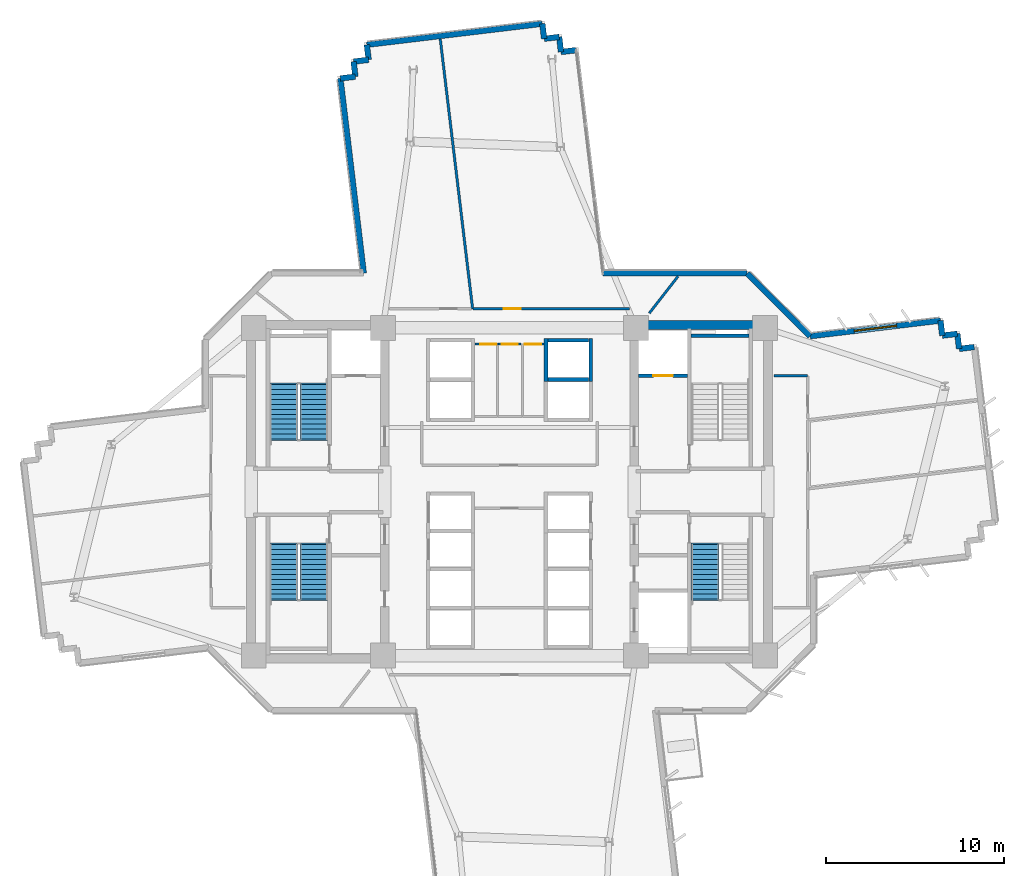
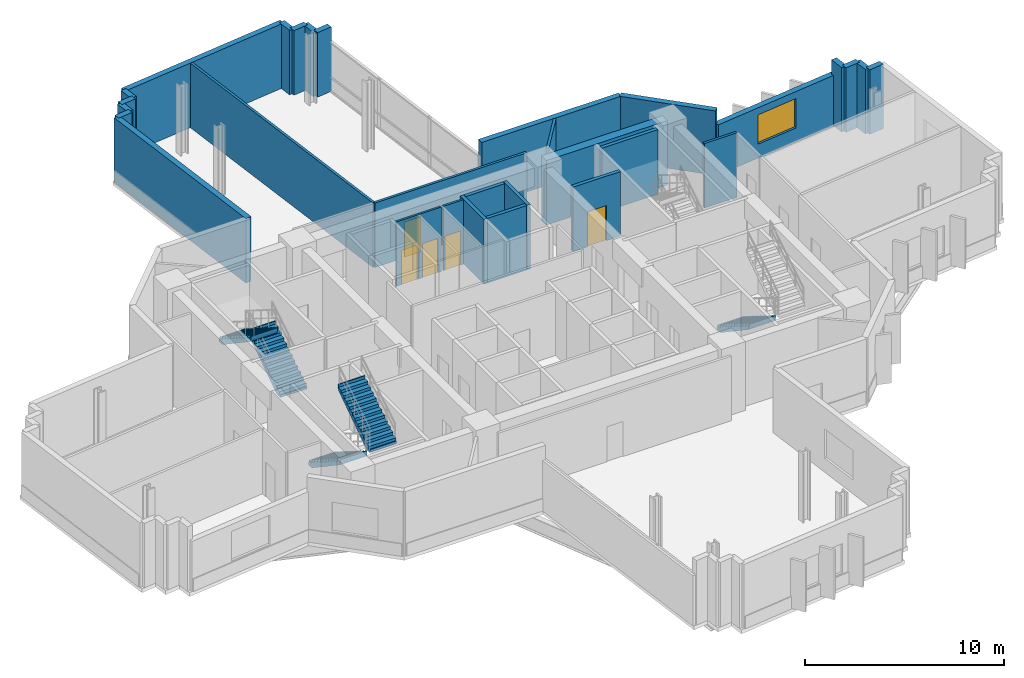
# One storey, part 9 of 15: 31 walls, 5 doors, 5 stair flights, 1 window, 6 openings, 3 elements without a shape of their own.
"""IFC4 building model written with IfcOpenShell, lengths in metres."""

from ifc_helpers import new_model, si_unit, direction, frame, frame_2d, origin, place, context, subcontext, project, spatial, polyline, rectangle, outline, extrude, source, transform, mapped, material, layer, layer_set, type_object, element, fill, aggregate, save


model = new_model("IFC4")

# Units and contexts
model_context = context("Model", 3, precision=1e-05, world=origin(), true_north=direction((0.0, 1.0)))
body_context = subcontext(model_context, "Body", "Model", "MODEL_VIEW")
ifc_project = project(units=[si_unit("LENGTHUNIT", "METRE"), si_unit("AREAUNIT", "SQUARE_METRE"), si_unit("VOLUMEUNIT", "CUBIC_METRE"), si_unit("PLANEANGLEUNIT", "RADIAN"), si_unit("MASSUNIT", "GRAM", prefix="KILO")], contexts=[model_context])

# Site, building, storey
site_placement = place(None, origin())
site = spatial("IfcSite", under=ifc_project, at=site_placement, CompositionType="ELEMENT")
building_placement = place(site_placement, origin())
building = spatial("IfcBuilding", under=site, at=building_placement, Name="Zahravan Cultural Tower", CompositionType="ELEMENT")
storey_placement = place(building_placement, frame((0.0, 0.0, 113.10009765625)))
storey = spatial("IfcBuildingStorey", under=building, at=storey_placement, Name="L25", CompositionType="ELEMENT", Elevation=113.10009765625)

# Wall, opening, window
ifc_material_1 = material(Name="Precast concrete C40/50", Category="concrete")
ifc_layer_1 = layer(ifc_material_1, 0.320068359375)
ifc_layer_set_1 = layer_set([ifc_layer_1], Name="Precast concrete C40/50")
wall_type_1 = type_object("IfcWallType", Name="EW-TC-320", PredefinedType="SOLIDWALL", material=ifc_layer_set_1)
wall_1_placement = place(storey_placement, frame((52.87060546875, 35.7314453125, 0.0), z_axis=(0.0, 0.0, 1.0), x_axis=(0.992882794037, 0.119095580547, 0.0)))
wall_1 = element("IfcWall", 1, at=wall_1_placement, inside=storey, type_object=wall_type_1, Name="L25 Exterior Masonry Frame Wall 01", PredefinedType="SOLIDWALL", context=body_context, shape_type="SweptSolid", body=[
    extrude(rectangle(XDim=7.36962890625, YDim=0.320068359375, at=frame_2d((3.684814453125, 0.0))), origin(), (0.0, 0.0, 1.0), 3.079833984375),
])
opening_1_placement = place(wall_1_placement, frame((2.485107421875, 0.0, 0.85009765625)))
opening_1 = element("IfcOpeningElement", 2, at=opening_1_placement, cuts=wall_1, Name="Opening WN-01", PredefinedType="OPENING", context=body_context, shape_type="SweptSolid", body=[
    extrude(rectangle(XDim=2.39990234375, YDim=1.800048828125, at=frame_2d((1.199951171875, 0.89990234375))), frame((0.0, 0.169921875, 0.0), z_axis=(0.0, -1.0, 0.0), x_axis=(1.0, 0.0, 0.0)), (0.0, 0.0, 1.0), 0.340087890625),
])
ifc_material_2 = material(Name="Low-E solar-control double glazing", Category="glass")
window_type = type_object("IfcWindowType", Name="WN-REC-2400X1800", PartitioningType="DOUBLE_PANEL_VERTICAL", PredefinedType="WINDOW", material=ifc_material_2)
shared_shape_1 = source(origin(), body_context, "Body", "SweptSolid", [
    extrude(rectangle(XDim=2.39990234375, YDim=1.800048828125, at=frame_2d((1.199951171875, 0.89990234375))), frame((0.0, 0.030029296875, 0.0), z_axis=(0.0, -1.0, 0.0), x_axis=(1.0, 0.0, 0.0)), (0.0, 0.0, 1.0), 0.06005859375),
])
window_placement = place(opening_1_placement, origin())
window = element("IfcWindow", 3, at=window_placement, inside=storey, type_object=window_type, Name="L25 Recessed Solar Window 01", OverallHeight=1.800048828125, OverallWidth=2.39990234375, PartitioningType="DOUBLE_PANEL_VERTICAL", PredefinedType="WINDOW", context=body_context, shape_type="MappedRepresentation", body=[
    mapped(shared_shape_1, transform((0.0, 0.0, 0.0), x_axis=(1.0, 0.0, 0.0), y_axis=(0.0, 1.0, 0.0), z_axis=(0.0, 0.0, 1.0), scale=1.0)),
])
fill(opening_1, window)

# Wall, opening, door
ifc_material_3 = material(Name="Gypsum plasterboard partition")
ifc_layer_2 = layer(ifc_material_3, 0.139892578125)
ifc_layer_set_2 = layer_set([ifc_layer_2], Name="Gypsum plasterboard partition")
wall_type_2 = type_object("IfcWallType", Name="W-PART-140", PredefinedType="PARTITIONING", material=ifc_layer_set_2)
wall_2_placement = place(storey_placement, frame((42.742431640625, 37.259765625, 0.0), z_axis=(0.0, 0.0, 1.0), x_axis=(-0.999999999614, 2.7778549e-05, 0.0)))
wall_2 = element("IfcWall", 4, at=wall_2_placement, inside=storey, type_object=wall_type_2, Name="L25 Interior Wall 099", PredefinedType="PARTITIONING", context=body_context, shape_type="SweptSolid", body=[
    extrude(rectangle(XDim=8.788818359375, YDim=0.139892578125, at=frame_2d((4.39453125, 0.0))), origin(), (0.0, 0.0, 1.0), 3.949951171875),
])
opening_2_placement = place(wall_2_placement, frame((6.1142578125, 0.0, 0.0)))
opening_2 = element("IfcOpeningElement", 5, at=opening_2_placement, cuts=wall_2, Name="Opening D-L25-19", PredefinedType="OPENING", context=body_context, shape_type="SweptSolid", body=[
    extrude(rectangle(XDim=0.949951171875, YDim=2.14990234375, at=frame_2d((0.47509765625, 1.074951171875))), frame((0.0, 0.079833984375, 0.0), z_axis=(0.0, -1.0, 0.0), x_axis=(1.0, 0.0, 0.0)), (0.0, 0.0, 1.0), 0.159912109375),
])
ifc_material_4 = material(Name="Anodised bronze-aluminium mullion", Category="aluminium")
door_type_1 = type_object("IfcDoorType", Name="DR-ROOM-950", OperationType="NOTDEFINED", PredefinedType="DOOR", material=ifc_material_4)
shared_shape_2 = source(origin(), body_context, "Body", "SweptSolid", [
    extrude(rectangle(XDim=0.949951171875, YDim=2.14990234375, at=frame_2d((0.47509765625, 1.074951171875))), frame((0.0, 0.02490234375, 0.0), z_axis=(0.0, -1.0, 0.0), x_axis=(1.0, 0.0, 0.0)), (0.0, 0.0, 1.0), 0.050048828125),
])
door_1_placement = place(opening_2_placement, origin())
door_1 = element("IfcDoor", 6, at=door_1_placement, inside=storey, type_object=door_type_1, Name="L25 Door D-L25-19", OperationType="SINGLE_SWING_RIGHT", OverallHeight=2.14990234375, OverallWidth=0.949951171875, PredefinedType="DOOR", context=body_context, shape_type="MappedRepresentation", body=[
    mapped(shared_shape_2, transform((0.0, 0.0, 0.0), x_axis=(1.0, 0.0, 0.0), y_axis=(0.0, 1.0, 0.0), z_axis=(0.0, 0.0, 1.0), scale=1.0)),
])
fill(opening_2, door_1)

ifc_material_5 = material(Name="Concrete C45/55", Category="concrete")
ifc_layer_3 = layer(ifc_material_5, 0.199951171875)
ifc_layer_set_3 = layer_set([ifc_layer_3], Name="Concrete C45/55")
wall_type_3 = type_object("IfcWallType", Name="W-SHAFT-200", PredefinedType="SOLIDWALL", material=ifc_layer_set_3)
wall_3_placement = place(storey_placement, frame((43.25, 33.52001953125, 0.0), z_axis=(0.0, 0.0, 1.0), x_axis=(1.0, 0.0, 0.0)))
wall_3 = element("IfcWall", 7, at=wall_3_placement, inside=storey, type_object=wall_type_3, Name="L25 Interior Wall 022", PredefinedType="SOLIDWALL", context=body_context, shape_type="SweptSolid", body=[
    extrude(rectangle(XDim=2.75, YDim=0.199951171875, at=frame_2d((1.375, 0.0))), origin(), (0.0, 0.0, 1.0), 3.949951171875),
])
opening_3_placement = place(wall_3_placement, frame((0.820068359375, 0.0, 0.0)))
opening_3 = element("IfcOpeningElement", 8, at=opening_3_placement, cuts=wall_3, Name="Opening LD-L25-02", PredefinedType="OPENING", context=body_context, shape_type="SweptSolid", body=[
    extrude(rectangle(XDim=1.10009765625, YDim=2.14990234375, at=frame_2d((0.550048828125, 1.074951171875))), frame((0.0, 0.10986328125, 0.0), z_axis=(0.0, -1.0, 0.0), x_axis=(1.0, 0.0, 0.0)), (0.0, 0.0, 1.0), 0.219970703125),
])
ifc_material_6 = material(Name="Steel ASTM A572 Grade 50", Category="steel")
door_type_2 = type_object("IfcDoorType", Name="DR-LIFT-1100", OperationType="DOUBLE_DOOR_SLIDING", PredefinedType="DOOR", material=ifc_material_6)
shared_shape_3 = source(origin(), body_context, "Body", "SweptSolid", [
    extrude(rectangle(XDim=1.10009765625, YDim=2.14990234375, at=frame_2d((0.550048828125, 1.074951171875))), frame((0.0, 0.02490234375, 0.0), z_axis=(0.0, -1.0, 0.0), x_axis=(1.0, 0.0, 0.0)), (0.0, 0.0, 1.0), 0.050048828125),
])
door_2_placement = place(opening_3_placement, origin())
door_2 = element("IfcDoor", 9, at=door_2_placement, inside=storey, type_object=door_type_2, Name="L25 Door LD-L25-02", OperationType="DOUBLE_DOOR_SLIDING", OverallHeight=2.14990234375, OverallWidth=1.10009765625, PredefinedType="DOOR", context=body_context, shape_type="MappedRepresentation", body=[
    mapped(shared_shape_3, transform((0.0, 0.0, 0.0), x_axis=(1.0, 0.0, 0.0), y_axis=(0.0, 1.0, 0.0), z_axis=(0.0, 0.0, 1.0), scale=1.0)),
])
fill(opening_3, door_2)

ifc_layer_4 = layer(ifc_material_3, 0.114990234375)
ifc_layer_set_4 = layer_set([ifc_layer_4], Name="Gypsum plasterboard partition")
wall_type_4 = type_object("IfcWallType", Name="W-WC-115", PredefinedType="PARTITIONING", material=ifc_layer_set_4)
wall_4_placement = place(storey_placement, frame((36.782470703125, 35.280029296875, 0.0), z_axis=(0.0, 0.0, 1.0), x_axis=(1.0, 0.0, 0.0)))
wall_4 = element("IfcWall", 10, at=wall_4_placement, inside=storey, type_object=wall_type_4, Name="L25 Interior Wall 068", PredefinedType="PARTITIONING", context=body_context, shape_type="SweptSolid", body=[
    extrude(rectangle(XDim=1.16259765625, YDim=0.114990234375, at=frame_2d((0.581298828125, 0.0))), origin(), (0.0, 0.0, 1.0), 3.949951171875),
])
opening_4_placement = place(wall_4_placement, frame((0.0888671875, 0.0, 0.0)))
opening_4 = element("IfcOpeningElement", 11, at=opening_4_placement, cuts=wall_4, Name="Opening D-L25-13", PredefinedType="OPENING", context=body_context, shape_type="SweptSolid", body=[
    extrude(rectangle(XDim=0.89990234375, YDim=2.10009765625, at=frame_2d((0.449951171875, 1.050048828125))), frame((0.0, 0.0673828125, 0.0), z_axis=(0.0, -1.0, 0.0), x_axis=(1.0, 0.0, 0.0)), (0.0, 0.0, 1.0), 0.135009765625),
])
door_type_3 = type_object("IfcDoorType", Name="DR-WC-900", OperationType="NOTDEFINED", PredefinedType="DOOR", material=ifc_material_4)
shared_shape_4 = source(origin(), body_context, "Body", "SweptSolid", [
    extrude(rectangle(XDim=0.89990234375, YDim=2.10009765625, at=frame_2d((0.449951171875, 1.050048828125))), frame((0.0, 0.02490234375, 0.0), z_axis=(0.0, -1.0, 0.0), x_axis=(1.0, 0.0, 0.0)), (0.0, 0.0, 1.0), 0.050048828125),
])
door_3_placement = place(opening_4_placement, origin())
door_3 = element("IfcDoor", 12, at=door_3_placement, inside=storey, type_object=door_type_3, Name="L25 Door D-L25-13", OperationType="SINGLE_SWING_RIGHT", OverallHeight=2.10009765625, OverallWidth=0.89990234375, PredefinedType="DOOR", context=body_context, shape_type="MappedRepresentation", body=[
    mapped(shared_shape_4, transform((0.0, 0.0, 0.0), x_axis=(1.0, 0.0, 0.0), y_axis=(0.0, 1.0, 0.0), z_axis=(0.0, 0.0, 1.0), scale=1.0)),
])
fill(opening_4, door_3)

wall_5_placement = place(storey_placement, frame((34.054931640625, 35.280029296875, 0.0), z_axis=(0.0, 0.0, 1.0), x_axis=(1.0, 0.0, 0.0)))
wall_5 = element("IfcWall", 13, at=wall_5_placement, inside=storey, type_object=wall_type_4, Name="L25 Interior Wall 070", PredefinedType="PARTITIONING", context=body_context, shape_type="SweptSolid", body=[
    extrude(rectangle(XDim=1.28515625, YDim=0.114990234375, at=frame_2d((0.642578125, 0.0))), origin(), (0.0, 0.0, 1.0), 3.949951171875),
])
opening_5_placement = place(wall_5_placement, frame((0.30029296875, 0.0, 0.0)))
opening_5 = element("IfcOpeningElement", 14, at=opening_5_placement, cuts=wall_5, Name="Opening D-L25-11", PredefinedType="OPENING", context=body_context, shape_type="SweptSolid", body=[
    extrude(rectangle(XDim=0.89990234375, YDim=2.10009765625, at=frame_2d((0.449951171875, 1.050048828125))), frame((0.0, 0.0673828125, 0.0), z_axis=(0.0, -1.0, 0.0), x_axis=(1.0, 0.0, 0.0)), (0.0, 0.0, 1.0), 0.135009765625),
])
door_4_placement = place(opening_5_placement, origin())
door_4 = element("IfcDoor", 15, at=door_4_placement, inside=storey, type_object=door_type_3, Name="L25 Door D-L25-11", OperationType="SINGLE_SWING_RIGHT", OverallHeight=2.10009765625, OverallWidth=0.89990234375, PredefinedType="DOOR", context=body_context, shape_type="MappedRepresentation", body=[
    mapped(shared_shape_4, transform((0.0, 0.0, 0.0), x_axis=(1.0, 0.0, 0.0), y_axis=(0.0, 1.0, 0.0), z_axis=(0.0, 0.0, 1.0), scale=1.0)),
])
fill(opening_5, door_4)

wall_6_placement = place(storey_placement, frame((35.360107421875, 35.280029296875, 0.0), z_axis=(0.0, 0.0, 1.0), x_axis=(1.0, 0.0, 0.0)))
wall_6 = element("IfcWall", 16, at=wall_6_placement, inside=storey, type_object=wall_type_4, Name="L25 Interior Wall 073", PredefinedType="PARTITIONING", context=body_context, shape_type="SweptSolid", body=[
    extrude(rectangle(XDim=1.29736328125, YDim=0.114990234375, at=frame_2d((0.648681640625, 0.0))), origin(), (0.0, 0.0, 1.0), 3.949951171875),
])
opening_6_placement = place(wall_6_placement, frame((0.19873046875, 0.0, 0.0)))
opening_6 = element("IfcOpeningElement", 17, at=opening_6_placement, cuts=wall_6, Name="Opening D-L25-12", PredefinedType="OPENING", context=body_context, shape_type="SweptSolid", body=[
    extrude(rectangle(XDim=0.89990234375, YDim=2.10009765625, at=frame_2d((0.449951171875, 1.050048828125))), frame((0.0, 0.0673828125, 0.0), z_axis=(0.0, -1.0, 0.0), x_axis=(1.0, 0.0, 0.0)), (0.0, 0.0, 1.0), 0.135009765625),
])
door_5_placement = place(opening_6_placement, origin())
door_5 = element("IfcDoor", 18, at=door_5_placement, inside=storey, type_object=door_type_3, Name="L25 Door D-L25-12", OperationType="SINGLE_SWING_LEFT", OverallHeight=2.10009765625, OverallWidth=0.89990234375, PredefinedType="DOOR", context=body_context, shape_type="MappedRepresentation", body=[
    mapped(shared_shape_4, transform((0.0, 0.0, 0.0), x_axis=(1.0, 0.0, 0.0), y_axis=(0.0, 1.0, 0.0), z_axis=(0.0, 0.0, 1.0), scale=1.0)),
])
fill(opening_6, door_5)

# Walls
ifc_material_7 = material(Name="Concrete C60/75", Category="concrete")
ifc_layer_5 = layer(ifc_material_7, 0.5)
ifc_layer_set_5 = layer_set([ifc_layer_5], Name="Concrete C60/75")
wall_type_5 = type_object("IfcWallType", Name="CW-SHEAR-500-C60", PredefinedType="SHEAR", material=ifc_layer_set_5)
shared_shape_5 = source(origin(), body_context, "Body", "SweptSolid", [
    extrude(rectangle(XDim=7.0, YDim=0.5, at=frame_2d((3.5, 0.0))), origin(), (0.0, 0.0, 1.0), 3.949951171875),
])
wall_7_placement = place(storey_placement, frame((43.25, 36.35009765625, 0.0), z_axis=(0.0, 0.0, 1.0), x_axis=(1.0, 0.0, 0.0)))
element("IfcWall", 19, at=wall_7_placement, inside=storey, type_object=wall_type_5, Name="L25 Core Shear Wall CW-E-N-L25", PredefinedType="SHEAR", context=body_context, shape_type="MappedRepresentation", body=[
    mapped(shared_shape_5, transform((0.0, 0.0, 0.0), x_axis=(1.0, 0.0, 0.0), y_axis=(0.0, 1.0, 0.0), z_axis=(0.0, 0.0, 1.0), scale=1.0)),
])
shared_shape_6 = source(origin(), body_context, "Body", "SweptSolid", [
    extrude(rectangle(XDim=0.849853515625, YDim=0.320068359375, at=frame_2d((0.4248046875, 0.0))), origin(), (0.0, 0.0, 1.0), 3.949951171875),
])
for number, where, z_axis, x_axis, name in (
    (20, (61.133056640625, 35.8662109375, 0.0), (0.0, 0.0, 1.0), (0.11894130009, -0.992901287708, 0.0), "L25 Exterior Masonry Frame Wall 04"),
    (21, (38.891357421875, 51.679931640625, 0.0), (0.0, 0.0, 1.0), (0.992867319472, 0.119224518976, 0.0), "L25 Exterior Masonry Frame Wall 50"),
):
    element("IfcWall", number, at=place(storey_placement, frame(where, z_axis=z_axis, x_axis=x_axis)), inside=storey, type_object=wall_type_1, Name=name, PredefinedType="SOLIDWALL", context=body_context, shape_type="MappedRepresentation", body=[
        mapped(shared_shape_6, transform((0.0, 0.0, 0.0), x_axis=(1.0, 0.0, 0.0), y_axis=(0.0, 1.0, 0.0), z_axis=(0.0, 0.0, 1.0), scale=1.0)),
    ])
shared_shape_7 = source(origin(), body_context, "Body", "SweptSolid", [
    extrude(rectangle(XDim=0.85009765625, YDim=0.320068359375, at=frame_2d((0.425048828125, 0.0))), origin(), (0.0, 0.0, 1.0), 3.949951171875),
])
for number, where, z_axis, x_axis, name in (
    (22, (60.187744140625, 36.609130859375, 0.0), (0.0, 0.0, 1.0), (0.119190521137, -0.992871401376, 0.0), "L25 Exterior Masonry Frame Wall 02"),
    (23, (60.2890625, 35.76513671875, 0.0), (0.0, 0.0, 1.0), (0.992905350382, 0.118907380694, 0.0), "L25 Exterior Masonry Frame Wall 03"),
    (24, (61.234130859375, 35.0224609375, 0.0), (0.0, 0.0, 1.0), (0.992905350382, 0.118907380694, 0.0), "L25 Exterior Masonry Frame Wall 05"),
    (25, (26.510009765625, 50.19482421875, 0.0), (0.0, 0.0, 1.0), (0.992871401376, 0.119190521137, 0.0), "L25 Exterior Masonry Frame Wall 42"),
    (26, (27.35400390625, 50.296142578125, 0.0), (0.0, 0.0, 1.0), (-0.119190521137, 0.992871401376, 0.0), "L25 Exterior Masonry Frame Wall 43"),
    (27, (27.252685546875, 51.14013671875, 0.0), (0.0, 0.0, 1.0), (0.992905350382, 0.118907380694, 0.0), "L25 Exterior Masonry Frame Wall 44"),
    (28, (28.0966796875, 51.2412109375, 0.0), (0.0, 0.0, 1.0), (-0.118907380694, 0.992905350382, 0.0), "L25 Exterior Masonry Frame Wall 45"),
    (29, (37.844970703125, 53.2666015625, 0.0), (0.0, 0.0, 1.0), (0.118907380694, -0.992905350382, 0.0), "L25 Exterior Masonry Frame Wall 47"),
    (30, (37.946044921875, 52.422607421875, 0.0), (0.0, 0.0, 1.0), (0.992871401376, 0.119190521137, 0.0), "L25 Exterior Masonry Frame Wall 48"),
    (31, (38.7900390625, 52.52392578125, 0.0), (0.0, 0.0, 1.0), (0.119190521137, -0.992871401376, 0.0), "L25 Exterior Masonry Frame Wall 49"),
):
    element("IfcWall", number, at=place(storey_placement, frame(where, z_axis=z_axis, x_axis=x_axis)), inside=storey, type_object=wall_type_1, Name=name, PredefinedType="SOLIDWALL", context=body_context, shape_type="MappedRepresentation", body=[
        mapped(shared_shape_7, transform((0.0, 0.0, 0.0), x_axis=(1.0, 0.0, 0.0), y_axis=(0.0, 1.0, 0.0), z_axis=(0.0, 0.0, 1.0), scale=1.0)),
    ])
shared_shape_8 = source(origin(), body_context, "Body", "SweptSolid", [
    extrude(rectangle(XDim=9.919921875, YDim=0.320068359375, at=frame_2d((4.9599609375, 0.0))), origin(), (0.0, 0.0, 1.0), 3.949951171875),
])
wall_8_placement = place(storey_placement, frame((27.99560546875, 52.085205078125, 0.0), z_axis=(0.0, 0.0, 1.0), x_axis=(0.992883125729, 0.119092815244, 0.0)))
element("IfcWall", 32, at=wall_8_placement, inside=storey, type_object=wall_type_1, Name="L25 Exterior Masonry Frame Wall 46", PredefinedType="SOLIDWALL", context=body_context, shape_type="MappedRepresentation", body=[
    mapped(shared_shape_8, transform((0.0, 0.0, 0.0), x_axis=(1.0, 0.0, 0.0), y_axis=(0.0, 1.0, 0.0), z_axis=(0.0, 0.0, 1.0), scale=1.0)),
])
shared_shape_9 = source(origin(), body_context, "Body", "SweptSolid", [
    extrude(rectangle(XDim=8.10498046875, YDim=0.320068359375, at=frame_2d((4.052490234375, 0.0))), origin(), (0.0, 0.0, 1.0), 3.949951171875),
])
wall_9_placement = place(storey_placement, frame((41.237060546875, 39.260009765625, 0.0), z_axis=(0.0, 0.0, 1.0), x_axis=(1.0, 0.0, 0.0)))
element("IfcWall", 33, at=wall_9_placement, inside=storey, type_object=wall_type_1, Name="L25 Exterior Masonry Frame Wall 51", PredefinedType="SOLIDWALL", context=body_context, shape_type="MappedRepresentation", body=[
    mapped(shared_shape_9, transform((0.0, 0.0, 0.0), x_axis=(1.0, 0.0, 0.0), y_axis=(0.0, 1.0, 0.0), z_axis=(0.0, 0.0, 1.0), scale=1.0)),
])
shared_shape_10 = source(origin(), body_context, "Body", "SweptSolid", [
    extrude(rectangle(XDim=11.01318359375, YDim=0.320068359375, at=frame_2d((5.506591796875, 0.0))), origin(), (0.0, 0.0, 1.0), 3.949951171875),
])
wall_10_placement = place(storey_placement, frame((27.821533203125, 39.260009765625, 0.0), z_axis=(0.0, 0.0, 1.0), x_axis=(-0.119086653457, 0.992883864794, 0.0)))
element("IfcWall", 34, at=wall_10_placement, inside=storey, type_object=wall_type_1, Name="L25 Exterior Masonry Frame Wall 41", PredefinedType="SOLIDWALL", context=body_context, shape_type="MappedRepresentation", body=[
    mapped(shared_shape_10, transform((0.0, 0.0, 0.0), x_axis=(1.0, 0.0, 0.0), y_axis=(0.0, 1.0, 0.0), z_axis=(0.0, 0.0, 1.0), scale=1.0)),
])
shared_shape_11 = source(origin(), body_context, "Body", "SweptSolid", [
    extrude(rectangle(XDim=4.990234375, YDim=0.320068359375, at=frame_2d((2.4951171875, 0.0))), origin(), (0.0, 0.0, 1.0), 3.949951171875),
])
wall_11_placement = place(storey_placement, frame((49.342041015625, 39.260009765625, 0.0), z_axis=(0.0, 0.0, 1.0), x_axis=(0.707106781187, -0.707106781187, 0.0)))
element("IfcWall", 35, at=wall_11_placement, inside=storey, type_object=wall_type_1, Name="L25 Exterior Masonry Frame Wall 52", PredefinedType="SOLIDWALL", context=body_context, shape_type="MappedRepresentation", body=[
    mapped(shared_shape_11, transform((0.0, 0.0, 0.0), x_axis=(1.0, 0.0, 0.0), y_axis=(0.0, 1.0, 0.0), z_axis=(0.0, 0.0, 1.0), scale=1.0)),
])
shared_shape_12 = source(origin(), body_context, "Body", "SweptSolid", [
    extrude(rectangle(XDim=3.25, YDim=0.199951171875, at=frame_2d((1.625, 0.0))), origin(), (0.0, 0.0, 1.0), 3.949951171875),
])
wall_12_placement = place(storey_placement, frame((46.199951171875, 35.75, 0.0), z_axis=(0.0, 0.0, 1.0), x_axis=(1.0, 0.0, 0.0)))
element("IfcWall", 36, at=wall_12_placement, inside=storey, type_object=wall_type_3, Name="L25 Interior Wall 018", PredefinedType="SOLIDWALL", context=body_context, shape_type="MappedRepresentation", body=[
    mapped(shared_shape_12, transform((0.0, 0.0, 0.0), x_axis=(1.0, 0.0, 0.0), y_axis=(0.0, 1.0, 0.0), z_axis=(0.0, 0.0, 1.0), scale=1.0)),
])
shared_shape_13 = source(origin(), body_context, "Body", "SweptSolid", [
    extrude(rectangle(XDim=2.400146484375, YDim=0.199951171875, at=frame_2d((1.2001953125, 0.0))), origin(), (0.0, 0.0, 1.0), 3.949951171875),
])
for number, where, z_axis, x_axis, name in (
    (37, (38.050048828125, 33.199951171875, 0.0), (0.0, 0.0, 1.0), (0.0, 1.0, 0.0), "L25 Interior Wall 033"),
    (38, (40.550048828125, 33.199951171875, 0.0), (0.0, 0.0, 1.0), (0.0, 1.0, 0.0), "L25 Interior Wall 034"),
):
    element("IfcWall", number, at=place(storey_placement, frame(where, z_axis=z_axis, x_axis=x_axis)), inside=storey, type_object=wall_type_3, Name=name, PredefinedType="SOLIDWALL", context=body_context, shape_type="MappedRepresentation", body=[
        mapped(shared_shape_13, transform((0.0, 0.0, 0.0), x_axis=(1.0, 0.0, 0.0), y_axis=(0.0, 1.0, 0.0), z_axis=(0.0, 0.0, 1.0), scale=1.0)),
    ])
shared_shape_14 = source(origin(), body_context, "Body", "SweptSolid", [
    extrude(rectangle(XDim=2.260009765625, YDim=0.199951171875, at=frame_2d((1.1298828125, 0.0))), origin(), (0.0, 0.0, 1.0), 3.949951171875),
])
for number, where, z_axis, x_axis, name in (
    (39, (38.169921875, 33.300048828125, 0.0), (0.0, 0.0, 1.0), (1.0, 0.0, 0.0), "L25 Interior Wall 035"),
    (40, (38.169921875, 35.5, 0.0), (0.0, 0.0, 1.0), (1.0, 0.0, 0.0), "L25 Interior Wall 036"),
):
    element("IfcWall", number, at=place(storey_placement, frame(where, z_axis=z_axis, x_axis=x_axis)), inside=storey, type_object=wall_type_3, Name=name, PredefinedType="SOLIDWALL", context=body_context, shape_type="MappedRepresentation", body=[
        mapped(shared_shape_14, transform((0.0, 0.0, 0.0), x_axis=(1.0, 0.0, 0.0), y_axis=(0.0, 1.0, 0.0), z_axis=(0.0, 0.0, 1.0), scale=1.0)),
    ])
shared_shape_15 = source(origin(), body_context, "Body", "SweptSolid", [
    extrude(rectangle(XDim=2.62939453125, YDim=0.139892578125, at=frame_2d((1.314697265625, 0.0))), origin(), (0.0, 0.0, 1.0), 3.949951171875),
])
wall_13_placement = place(storey_placement, frame((43.84619140625, 37.02001953125, 0.0), z_axis=(0.0, 0.0, 1.0), x_axis=(0.614210560268, 0.789142184689, 0.0)))
element("IfcWall", 41, at=wall_13_placement, inside=storey, type_object=wall_type_2, Name="L25 Interior Wall 091", PredefinedType="PARTITIONING", context=body_context, shape_type="MappedRepresentation", body=[
    mapped(shared_shape_15, transform((0.0, 0.0, 0.0), x_axis=(1.0, 0.0, 0.0), y_axis=(0.0, 1.0, 0.0), z_axis=(0.0, 0.0, 1.0), scale=1.0)),
])
shared_shape_16 = source(origin(), body_context, "Body", "SweptSolid", [
    extrude(rectangle(XDim=1.876953125, YDim=0.139892578125, at=frame_2d((0.9384765625, 0.0))), origin(), (0.0, 0.0, 1.0), 3.949951171875),
])
wall_14_placement = place(storey_placement, frame((52.734619140625, 33.4990234375, 0.0), z_axis=(0.0, 0.0, 1.0), x_axis=(-0.999999923865, 0.000390218493, 0.0)))
element("IfcWall", 42, at=wall_14_placement, inside=storey, type_object=wall_type_2, Name="L25 Interior Wall 093", PredefinedType="PARTITIONING", context=body_context, shape_type="MappedRepresentation", body=[
    mapped(shared_shape_16, transform((0.0, 0.0, 0.0), x_axis=(1.0, 0.0, 0.0), y_axis=(0.0, 1.0, 0.0), z_axis=(0.0, 0.0, 1.0), scale=1.0)),
])
shared_shape_17 = source(origin(), body_context, "Body", "SweptSolid", [
    extrude(rectangle(XDim=15.261962890625, YDim=0.139892578125, at=frame_2d((7.630859375, 0.0))), origin(), (0.0, 0.0, 1.0), 3.949951171875),
])
wall_15_placement = place(storey_placement, frame((32.11572265625, 52.413330078125, 0.0), z_axis=(0.0, 0.0, 1.0), x_axis=(0.119095388495, -0.992882817073, 0.0)))
element("IfcWall", 43, at=wall_15_placement, inside=storey, type_object=wall_type_2, Name="L25 Interior Wall 097", PredefinedType="PARTITIONING", context=body_context, shape_type="MappedRepresentation", body=[
    mapped(shared_shape_17, transform((0.0, 0.0, 0.0), x_axis=(1.0, 0.0, 0.0), y_axis=(0.0, 1.0, 0.0), z_axis=(0.0, 0.0, 1.0), scale=1.0)),
])

# Stair, stair flights
stair_type = type_object("IfcStairType", Name="STR-DL-1550-420", PredefinedType="HALF_TURN_STAIR", material=ifc_material_5)
stair_1_placement = place(storey_placement, origin())
stair_1 = element("IfcStair", 44, at=stair_1_placement, inside=storey, type_object=stair_type, Name="L25 West Core North Exit Stair ST-W1", PredefinedType="HALF_TURN_STAIR")
stair_flight_type = type_object("IfcStairFlightType", Name="FLG-DL-1550-420", PredefinedType="STRAIGHT", material=ifc_material_5)
stair_flight_1_placement = place(storey_placement, frame((25.02490234375, 29.949951171875, 0.0), z_axis=(0.0, 0.0, 1.0), x_axis=(0.0, 1.0, 0.0)))
stair_flight_1 = element("IfcStairFlight", 45, at=stair_flight_1_placement, type_object=stair_flight_type, Name="ST-W1 flight 1", NumberOfRisers=12, NumberOfTreads=11, PredefinedType="STRAIGHT", RiserHeight=0.175, TreadLength=0.28, context=body_context, shape_type="SweptSolid", body=[
    extrude(outline(polyline([(-0.06494140625, -0.139892578125), (-0.06494140625, 0.0), (0.0, 0.0), (0.0, 0.175048828125), (0.280029296875, 0.175048828125), (0.280029296875, 0.35009765625), (0.56005859375, 0.35009765625), (0.56005859375, 0.52490234375), (0.840087890625, 0.52490234375), (0.840087890625, 0.699951171875), (1.1201171875, 0.699951171875), (1.1201171875, 0.875), (1.39990234375, 0.875), (1.39990234375, 1.050048828125), (1.679931640625, 1.050048828125), (1.679931640625, 1.22509765625), (1.9599609375, 1.22509765625), (1.9599609375, 1.39990234375), (2.239990234375, 1.39990234375), (2.239990234375, 1.574951171875), (2.52001953125, 1.574951171875), (2.52001953125, 1.75), (2.800048828125, 1.75), (2.800048828125, 1.925048828125), (3.080078125, 1.925048828125), (3.080078125, 2.10009765625), (3.14501953125, 2.10009765625), (3.14501953125, 1.9501953125), (3.080078125, 1.748291015625), (0.28271484375, -0.139892578125), (-0.06494140625, -0.139892578125)])), frame((0.0, 0.77490234375, 0.0), z_axis=(0.0, -1.0, 0.0), x_axis=(1.0, 0.0, 0.0)), (0.0, 0.0, 1.0), 1.550048828125),
])
stair_flight_2_placement = place(storey_placement, frame((23.324951171875, 33.030029296875, 2.099853515625), z_axis=(0.0, 0.0, 1.0), x_axis=(0.0, -1.0, 0.0)))
stair_flight_2 = element("IfcStairFlight", 46, at=stair_flight_2_placement, type_object=stair_flight_type, Name="ST-W1 flight 2", NumberOfRisers=12, NumberOfTreads=11, PredefinedType="STRAIGHT", RiserHeight=0.175, TreadLength=0.28, context=body_context, shape_type="SweptSolid", body=[
    extrude(outline(polyline([(-0.06494140625, -0.139892578125), (-0.06494140625, 0.0), (0.0, 0.0), (0.0, 0.175048828125), (0.280029296875, 0.175048828125), (0.280029296875, 0.35009765625), (0.56005859375, 0.35009765625), (0.56005859375, 0.52490234375), (0.840087890625, 0.52490234375), (0.840087890625, 0.699951171875), (1.1201171875, 0.699951171875), (1.1201171875, 0.875), (1.39990234375, 0.875), (1.39990234375, 1.050048828125), (1.679931640625, 1.050048828125), (1.679931640625, 1.22509765625), (1.9599609375, 1.22509765625), (1.9599609375, 1.39990234375), (2.239990234375, 1.39990234375), (2.239990234375, 1.574951171875), (2.52001953125, 1.574951171875), (2.52001953125, 1.75), (2.800048828125, 1.75), (2.800048828125, 1.925048828125), (3.080078125, 1.925048828125), (3.080078125, 2.10009765625), (3.14501953125, 2.10009765625), (3.14501953125, 1.9501953125), (3.080078125, 1.748291015625), (0.28271484375, -0.139892578125), (-0.06494140625, -0.139892578125)])), frame((0.0, 0.77490234375, 0.0), z_axis=(0.0, -1.0, 0.0), x_axis=(1.0, 0.0, 0.0)), (0.0, 0.0, 1.0), 1.550048828125),
])
aggregate(stair_1, [stair_flight_1, stair_flight_2])

stair_2_placement = place(storey_placement, origin())
stair_2 = element("IfcStair", 47, at=stair_2_placement, inside=storey, type_object=stair_type, Name="L25 West Core South Exit Stair ST-W2", PredefinedType="HALF_TURN_STAIR")
stair_flight_3_placement = place(storey_placement, frame((23.324951171875, 24.050048828125, 0.0), z_axis=(0.0, 0.0, 1.0), x_axis=(0.0, -1.0, 0.0)))
stair_flight_3 = element("IfcStairFlight", 48, at=stair_flight_3_placement, type_object=stair_flight_type, Name="ST-W2 flight 1", NumberOfRisers=12, NumberOfTreads=11, PredefinedType="STRAIGHT", RiserHeight=0.175, TreadLength=0.28, context=body_context, shape_type="SweptSolid", body=[
    extrude(outline(polyline([(-0.06494140625, -0.139892578125), (-0.06494140625, 0.0), (0.0, 0.0), (0.0, 0.175048828125), (0.280029296875, 0.175048828125), (0.280029296875, 0.35009765625), (0.56005859375, 0.35009765625), (0.56005859375, 0.52490234375), (0.840087890625, 0.52490234375), (0.840087890625, 0.699951171875), (1.1201171875, 0.699951171875), (1.1201171875, 0.875), (1.39990234375, 0.875), (1.39990234375, 1.050048828125), (1.679931640625, 1.050048828125), (1.679931640625, 1.22509765625), (1.9599609375, 1.22509765625), (1.9599609375, 1.39990234375), (2.239990234375, 1.39990234375), (2.239990234375, 1.574951171875), (2.52001953125, 1.574951171875), (2.52001953125, 1.75), (2.800048828125, 1.75), (2.800048828125, 1.925048828125), (3.080078125, 1.925048828125), (3.080078125, 2.10009765625), (3.14501953125, 2.10009765625), (3.14501953125, 1.9501953125), (3.080078125, 1.748291015625), (0.28271484375, -0.139892578125), (-0.06494140625, -0.139892578125)])), frame((0.0, 0.77490234375, 0.0), z_axis=(0.0, -1.0, 0.0), x_axis=(1.0, 0.0, 0.0)), (0.0, 0.0, 1.0), 1.550048828125),
])
stair_flight_4_placement = place(storey_placement, frame((25.02490234375, 20.969970703125, 2.099853515625), z_axis=(0.0, 0.0, 1.0), x_axis=(0.0, 1.0, 0.0)))
stair_flight_4 = element("IfcStairFlight", 49, at=stair_flight_4_placement, type_object=stair_flight_type, Name="ST-W2 flight 2", NumberOfRisers=12, NumberOfTreads=11, PredefinedType="STRAIGHT", RiserHeight=0.175, TreadLength=0.28, context=body_context, shape_type="SweptSolid", body=[
    extrude(outline(polyline([(-0.06494140625, -0.139892578125), (-0.06494140625, 0.0), (0.0, 0.0), (0.0, 0.175048828125), (0.280029296875, 0.175048828125), (0.280029296875, 0.35009765625), (0.56005859375, 0.35009765625), (0.56005859375, 0.52490234375), (0.840087890625, 0.52490234375), (0.840087890625, 0.699951171875), (1.1201171875, 0.699951171875), (1.1201171875, 0.875), (1.39990234375, 0.875), (1.39990234375, 1.050048828125), (1.679931640625, 1.050048828125), (1.679931640625, 1.22509765625), (1.9599609375, 1.22509765625), (1.9599609375, 1.39990234375), (2.239990234375, 1.39990234375), (2.239990234375, 1.574951171875), (2.52001953125, 1.574951171875), (2.52001953125, 1.75), (2.800048828125, 1.75), (2.800048828125, 1.925048828125), (3.080078125, 1.925048828125), (3.080078125, 2.10009765625), (3.14501953125, 2.10009765625), (3.14501953125, 1.9501953125), (3.080078125, 1.748291015625), (0.28271484375, -0.139892578125), (-0.06494140625, -0.139892578125)])), frame((0.0, 0.77490234375, 0.0), z_axis=(0.0, -1.0, 0.0), x_axis=(1.0, 0.0, 0.0)), (0.0, 0.0, 1.0), 1.550048828125),
])
aggregate(stair_2, [stair_flight_3, stair_flight_4])

# Stair, stair flight
stair_3_placement = place(storey_placement, origin())
stair_3 = element("IfcStair", 50, at=stair_3_placement, inside=storey, type_object=stair_type, Name="L25 East Core South Exit Stair ST-E2", PredefinedType="HALF_TURN_STAIR")
stair_flight_5_placement = place(storey_placement, frame((46.97509765625, 24.050048828125, 0.0), z_axis=(0.0, 0.0, 1.0), x_axis=(0.0, -1.0, 0.0)))
stair_flight_5 = element("IfcStairFlight", 51, at=stair_flight_5_placement, type_object=stair_flight_type, Name="ST-E2 flight 1", NumberOfRisers=12, NumberOfTreads=11, PredefinedType="STRAIGHT", RiserHeight=0.175, TreadLength=0.28, context=body_context, shape_type="SweptSolid", body=[
    extrude(outline(polyline([(-0.06494140625, -0.139892578125), (-0.06494140625, 0.0), (0.0, 0.0), (0.0, 0.175048828125), (0.280029296875, 0.175048828125), (0.280029296875, 0.35009765625), (0.56005859375, 0.35009765625), (0.56005859375, 0.52490234375), (0.840087890625, 0.52490234375), (0.840087890625, 0.699951171875), (1.1201171875, 0.699951171875), (1.1201171875, 0.875), (1.39990234375, 0.875), (1.39990234375, 1.050048828125), (1.679931640625, 1.050048828125), (1.679931640625, 1.22509765625), (1.9599609375, 1.22509765625), (1.9599609375, 1.39990234375), (2.239990234375, 1.39990234375), (2.239990234375, 1.574951171875), (2.52001953125, 1.574951171875), (2.52001953125, 1.75), (2.800048828125, 1.75), (2.800048828125, 1.925048828125), (3.080078125, 1.925048828125), (3.080078125, 2.10009765625), (3.14501953125, 2.10009765625), (3.14501953125, 1.9501953125), (3.080078125, 1.748291015625), (0.28271484375, -0.139892578125), (-0.06494140625, -0.139892578125)])), frame((0.0, 0.77490234375, 0.0), z_axis=(0.0, -1.0, 0.0), x_axis=(1.0, 0.0, 0.0)), (0.0, 0.0, 1.0), 1.550048828125),
])
aggregate(stair_3, [stair_flight_5])

save(model, "model.ifc")
